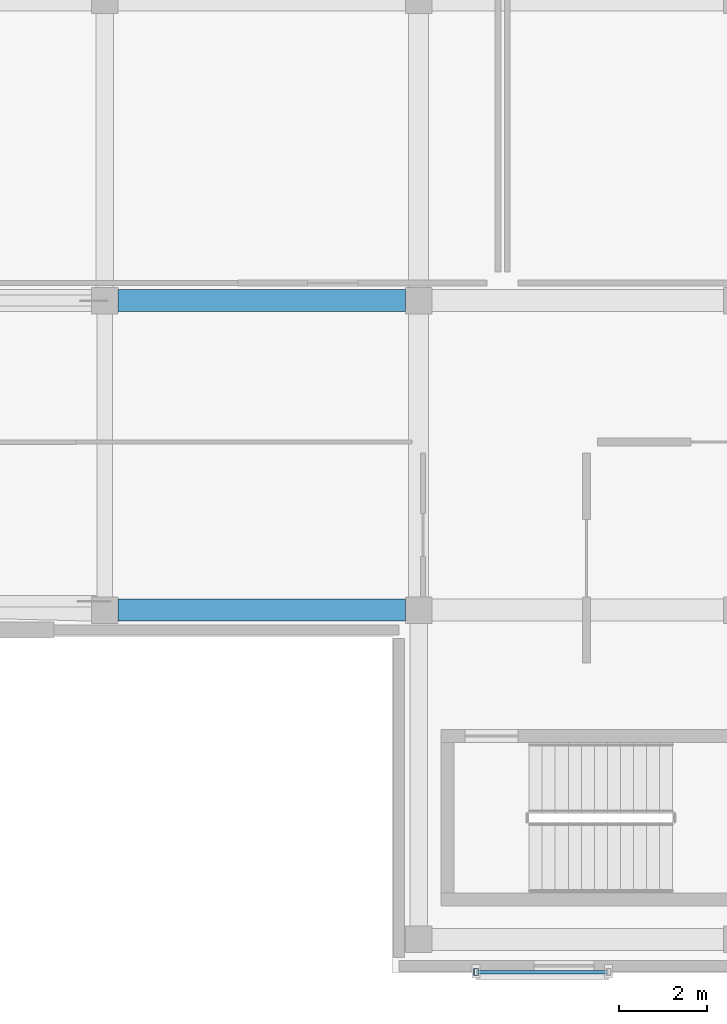
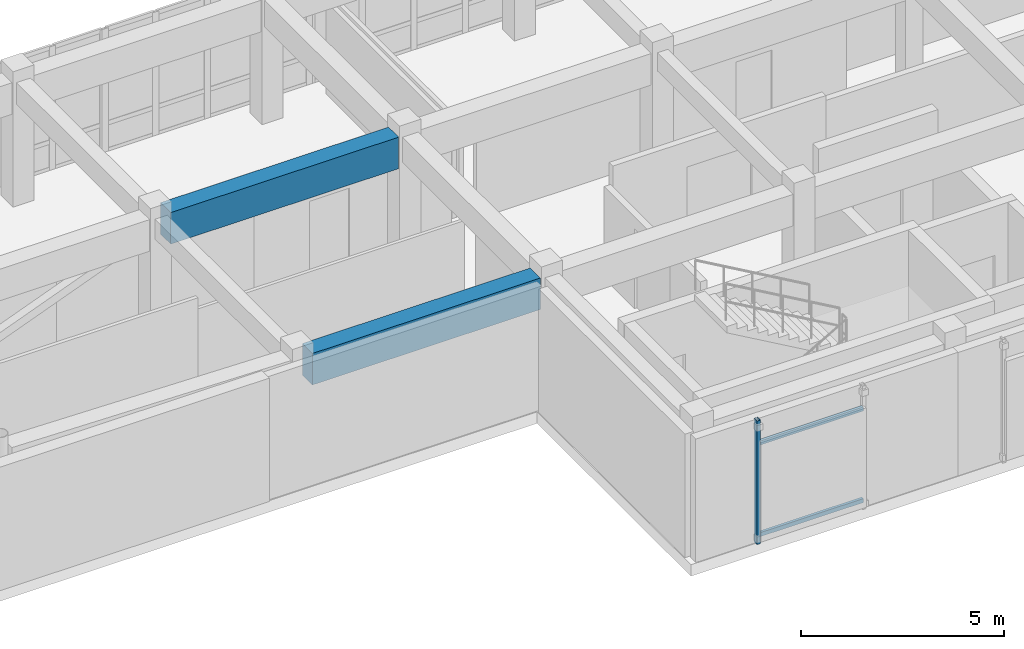
# One storey, part 17 of 91: 3 members, 2 beams.
"""IFC4 building model written with IfcOpenShell, lengths in metres."""

from ifc_helpers import new_model, si_unit, direction, frame, origin, origin_2d, place, context, subcontext, project, spatial, rectangle, hollow_rectangle, extrude, material, material_profile, profile_set, type_object, element, save


model = new_model("IFC4")

# Units and contexts
model_context = context("Model", 3, precision=1e-05, world=origin(), true_north=direction((0.0, 1.0)))
body_context = subcontext(model_context, "Body", "Model", "MODEL_VIEW")
ifc_project = project(units=[si_unit("LENGTHUNIT", "METRE"), si_unit("AREAUNIT", "SQUARE_METRE"), si_unit("VOLUMEUNIT", "CUBIC_METRE"), si_unit("PLANEANGLEUNIT", "RADIAN"), si_unit("MASSUNIT", "GRAM", prefix="KILO")], contexts=[model_context])

# Site, building, storey
site_placement = place(None, origin())
site = spatial("IfcSite", under=ifc_project, at=site_placement, CompositionType="ELEMENT")
building_placement = place(site_placement, origin())
building = spatial("IfcBuilding", under=site, at=building_placement, Name="Valcora Specialist Clinic", CompositionType="ELEMENT")
storey_placement = place(building_placement, frame((0.0, 0.0, 13.60009765625)))
storey = spatial("IfcBuildingStorey", under=building, at=storey_placement, Name="L03", CompositionType="ELEMENT", Elevation=13.60009765625)

# Beams
ifc_material_1 = material(Name="Concrete C40/50", Category="concrete")
ifc_material_profile_1 = material_profile(ifc_material_1, rectangle(XDim=0.5, YDim=0.949951171875, at=origin_2d()), Name="RC-BM-500X950")
ifc_profile_set_1 = profile_set([ifc_material_profile_1], Name="Concrete C40/50")
beam_type = type_object("IfcBeamType", Name="TY-BM-TR500X950", PredefinedType="BEAM", material=ifc_profile_set_1)
for number, where, z_axis, x_axis, name in (
    (1, (9.39990234375, 8.199951171875, 3.244873046875), (1.0, 0.0, 0.0), (0.0, 1.0, 0.0), "Beam BM-L03-1034"),
    (2, (9.39990234375, 15.199951171875, 3.244873046875), (1.0, 0.0, 0.0), (0.0, 1.0, 0.0), "Beam BM-L03-1041"),
):
    element("IfcBeam", number, at=place(storey_placement, frame(where, z_axis=z_axis, x_axis=x_axis)), inside=storey, type_object=beam_type, Name=name, PredefinedType="BEAM", context=body_context, shape_type="SweptSolid", body=[
        extrude(rectangle(XDim=0.5, YDim=0.949951171875, at=origin_2d()), origin(), (0.0, 0.0, 1.0), 6.5),
    ])

# Members
ifc_material_2 = material(Name="Steel ASTM A500 Grade C", Category="steel")
ifc_material_profile_2 = material_profile(ifc_material_2, hollow_rectangle(XDim=0.10009765625, YDim=0.14990234375, WallThickness=0.006103515625, at=origin_2d()), Name="ST-RHS-150X100X6")
ifc_profile_set_2 = profile_set([ifc_material_profile_2], Name="Steel ASTM A500 Grade C")
member_type_1 = type_object("IfcMemberType", Name="TY-MB-SFPOST", PredefinedType="POST", material=ifc_profile_set_2)
member_placement = place(storey_placement, frame((17.5, 0.010009765625, 0.0), z_axis=(0.0, 0.0, 1.0), x_axis=(1.0, 0.0, 0.0)))
element("IfcMember", 3, at=member_placement, inside=storey, type_object=member_type_1, Name="Brick screen carrier post 121", PredefinedType="POST", context=body_context, shape_type="SweptSolid", body=[
    extrude(hollow_rectangle(XDim=0.10009765625, YDim=0.14990234375, WallThickness=0.006103515625, at=origin_2d()), origin(), (0.0, 0.0, 1.0), 3.719970703125),
])
ifc_material_profile_3 = material_profile(ifc_material_2, hollow_rectangle(XDim=0.080078125, YDim=0.1201171875, WallThickness=0.0048828125, at=origin_2d()), Name="ST-RHS-120X80X5")
ifc_profile_set_3 = profile_set([ifc_material_profile_3], Name="Steel ASTM A500 Grade C")
member_type_2 = type_object("IfcMemberType", Name="TY-MB-SFRAIL", PredefinedType="STRINGER", material=ifc_profile_set_3)
for number, where, z_axis, x_axis, name in (
    (4, (17.5, 0.010009765625, 0.239990234375), (1.0, 0.0, 0.0), (0.0, 1.0, 0.0), "Brick screen carrier rail 123"),
    (5, (17.5, 0.010009765625, 3.0), (1.0, 0.0, 0.0), (0.0, 1.0, 0.0), "Brick screen carrier rail 124"),
):
    element("IfcMember", number, at=place(storey_placement, frame(where, z_axis=z_axis, x_axis=x_axis)), inside=storey, type_object=member_type_2, Name=name, PredefinedType="STRINGER", context=body_context, shape_type="SweptSolid", body=[
        extrude(hollow_rectangle(XDim=0.080078125, YDim=0.1201171875, WallThickness=0.0048828125, at=origin_2d()), origin(), (0.0, 0.0, 1.0), 3.0),
    ])

save(model, "model.ifc")
